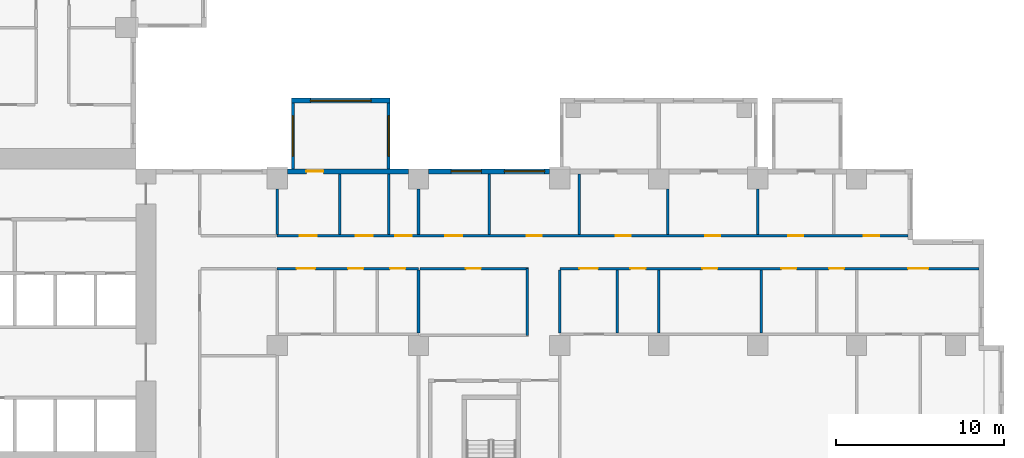
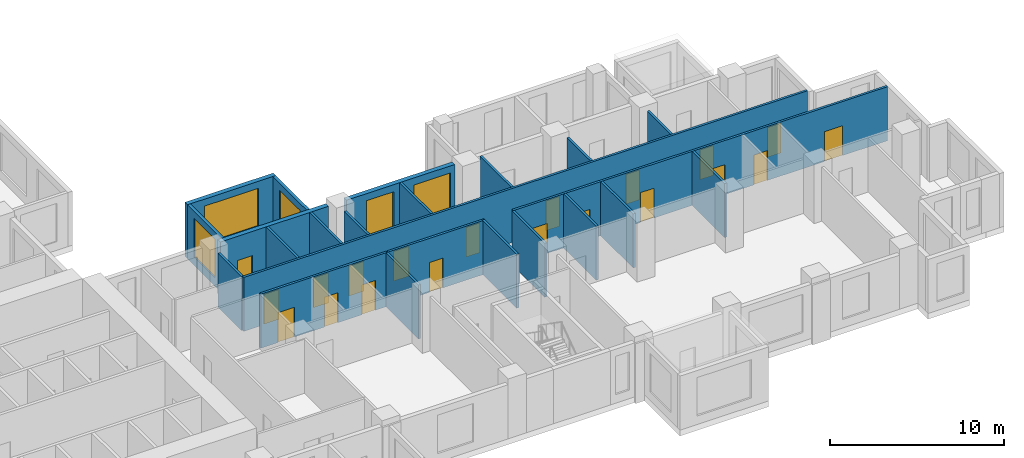
# One storey, part 5 of 14: 23 walls, 20 doors, 5 windows, 25 openings.
"""IFC4 building model written with IfcOpenShell, lengths in metres."""

import ifcopenshell
import ifcopenshell.guid

model = None  # the IFC model being written
_history = None  # IfcOwnerHistory: only IFC2X3 demands one
_inside = {}  # id of a spatial element -> (the spatial element, [elements in it])
_under = {}  # id of a project, library or spatial element -> (it, [spatial elements below it])
_declared = {}  # id of a project -> (the project, [libraries it declares])
_typed = {}  # id of a type object -> (the type object, [elements of that type])
_made_of = {}  # id of a material, layer set ... -> (it, [elements and type objects made of it])


def new_model(schema):
    """Start an empty IFC model of exactly this schema.

    Asked for "IFC4X3", IfcOpenShell would pick the latest addendum, in which some entities
    have other attributes; the version numbers below select the first issue.
    IFC2X3 requires an IfcOwnerHistory on every rooted entity: one is made here for all.
    """
    global model, _history
    if schema == "IFC4X3":
        model = ifcopenshell.file(schema_version=(4, 3, 0, 0))
    else:
        model = ifcopenshell.file(schema=schema)
    _inside.clear()
    _under.clear()
    _declared.clear()
    _typed.clear()
    _made_of.clear()
    _history = None
    if model.schema == "IFC2X3":
        org = make("IfcOrganization", Name="unknown")
        user = make(
            "IfcPersonAndOrganization",
            ThePerson=make("IfcPerson", FamilyName="unknown"),
            TheOrganization=org,
        )
        app = make(
            "IfcApplication",
            ApplicationDeveloper=org,
            Version="unknown",
            ApplicationFullName="unknown",
            ApplicationIdentifier="unknown",
        )
        _history = make(
            "IfcOwnerHistory",
            OwningUser=user,
            OwningApplication=app,
            ChangeAction="ADDED",
            CreationDate=0,
        )
    return model


def make(cls, **values):
    """One entity of the class cls with the attributes given. An attribute that is None is left unset."""
    return model.create_entity(
        cls, **{name: value for name, value in values.items() if value is not None}
    )


def rooted(cls, **values):
    """An entity with a GlobalId (a new one), such as an element, a storey or a relation."""
    return make(cls, GlobalId=ifcopenshell.guid.new(), OwnerHistory=_history, **values)


def si_unit(unit_type, name, prefix=None):
    """IfcSIUnit, for example si_unit("LENGTHUNIT", "METRE", prefix="MILLI")."""
    return make("IfcSIUnit", UnitType=unit_type, Prefix=prefix, Name=name)


def assignment(units):
    """IfcUnitAssignment: the units of a project."""
    return None if units is None else make("IfcUnitAssignment", Units=units)


def point(xyz):
    """IfcCartesianPoint."""
    return None if xyz is None else make("IfcCartesianPoint", Coordinates=xyz)


def direction(xyz):
    """IfcDirection."""
    return None if xyz is None else make("IfcDirection", DirectionRatios=xyz)


def frame(location, z_axis=None, x_axis=None):
    """IfcAxis2Placement3D, a coordinate frame: its origin and axes. An axis left out is left unset."""
    return make(
        "IfcAxis2Placement3D",
        Location=point(location),
        Axis=direction(z_axis),
        RefDirection=direction(x_axis),
    )


def frame_2d(location, x_axis=None):
    """IfcAxis2Placement2D, a coordinate frame in the plane: its origin and x axis."""
    return make(
        "IfcAxis2Placement2D", Location=point(location), RefDirection=direction(x_axis)
    )


def origin():
    """The frame at (0, 0, 0) with its axes left unset."""
    return frame((0.0, 0.0, 0.0))


def place(relative_to, where):
    """IfcLocalPlacement: puts the frame where relative to a parent placement (None: the world)."""
    return make(
        "IfcLocalPlacement", PlacementRelTo=relative_to, RelativePlacement=where
    )


def context(
    kind, dimensions, precision=None, world=None, true_north=None, identifier=None
):
    """IfcGeometricRepresentationContext, for example the 3D "Model" context."""
    return make(
        "IfcGeometricRepresentationContext",
        ContextIdentifier=identifier,
        ContextType=kind,
        CoordinateSpaceDimension=dimensions,
        Precision=precision,
        WorldCoordinateSystem=world,
        TrueNorth=true_north,
    )


def subcontext(parent, identifier, kind, view, scale=None):
    """IfcGeometricRepresentationSubContext, for example "Body" below "Model"."""
    return make(
        "IfcGeometricRepresentationSubContext",
        ContextIdentifier=identifier,
        ContextType=kind,
        ParentContext=parent,
        TargetScale=scale,
        TargetView=view,
    )


def project(units=None, contexts=None):
    """IfcProject with its units and contexts."""
    return rooted(
        "IfcProject",
        Name="project",
        RepresentationContexts=contexts,
        UnitsInContext=assignment(units),
    )


def spatial(cls, under=None, at=None, **own):
    """A site, building, storey or space (cls), placed at a placement, below another one or the project."""
    s = rooted(cls, ObjectPlacement=at, **own)
    if under is not None:
        _under.setdefault(under.id(), (under, []))[1].append(s)
    return s


def profile(cls, at=None, kind="AREA", **sizes):
    """A parametric profile (cls). Its sizes go by their IFC names, for example OverallWidth=200.0."""
    return make(cls, ProfileType=kind, Position=at, **sizes)


def rectangle(**sizes):
    """IfcRectangleProfileDef."""
    return profile("IfcRectangleProfileDef", **sizes)


def extrude(swept, where, along, depth):
    """IfcExtrudedAreaSolid: the profile swept, set in the frame where, extruded along a direction by depth."""
    return make(
        "IfcExtrudedAreaSolid",
        SweptArea=swept,
        Position=where,
        ExtrudedDirection=direction(along),
        Depth=depth,
    )


def shape(context_of_items, identifier, shape_type, items):
    """IfcShapeRepresentation: the items that make up one representation, for example the "Body"."""
    return make(
        "IfcShapeRepresentation",
        ContextOfItems=context_of_items,
        RepresentationIdentifier=identifier,
        RepresentationType=shape_type,
        Items=items,
    )


def source(mapping_origin, context_of_items, identifier, shape_type, items):
    """IfcRepresentationMap: a shape defined once, which mapped items show again and again."""
    return make(
        "IfcRepresentationMap",
        MappingOrigin=mapping_origin,
        MappedRepresentation=shape(context_of_items, identifier, shape_type, items),
    )


def transform(
    local_origin,
    x_axis=None,
    y_axis=None,
    z_axis=None,
    scale=None,
    scale2=None,
    scale3=None,
    uniform=True,
):
    """IfcCartesianTransformationOperator3D, or its non-uniform kind. x_axis, y_axis, z_axis: its Axis1, 2, 3."""
    if uniform:
        return make(
            "IfcCartesianTransformationOperator3D",
            Axis1=direction(x_axis),
            Axis2=direction(y_axis),
            LocalOrigin=point(local_origin),
            Scale=scale,
            Axis3=direction(z_axis),
        )
    return make(
        "IfcCartesianTransformationOperator3DnonUniform",
        Axis1=direction(x_axis),
        Axis2=direction(y_axis),
        LocalOrigin=point(local_origin),
        Scale=scale,
        Axis3=direction(z_axis),
        Scale2=scale2,
        Scale3=scale3,
    )


def mapped(mapping_source, mapping_target):
    """IfcMappedItem: shows the shape of a source again, moved by a transform."""
    return make(
        "IfcMappedItem", MappingSource=mapping_source, MappingTarget=mapping_target
    )


def material(Name=None, Category=None):
    """IfcMaterial."""
    return make("IfcMaterial", Name=Name, Category=Category)


def layer(
    of_material, thickness, ventilated=None, Name=None, Category=None, Priority=None
):
    """IfcMaterialLayer: one layer of a wall or slab, of a material (None: an air gap)."""
    return make(
        "IfcMaterialLayer",
        Material=of_material,
        LayerThickness=thickness,
        IsVentilated=ventilated,
        Name=Name,
        Category=Category,
        Priority=Priority,
    )


def layer_set(layers, Name=None):
    """IfcMaterialLayerSet."""
    return make("IfcMaterialLayerSet", MaterialLayers=layers, LayerSetName=Name)


def made_of(thing, what):
    """Note that an element or type object is made of a material, layer set ...; save() writes the relation."""
    if what is not None:
        _made_of.setdefault(what.id(), (what, []))[1].append(thing)
    return thing


def type_object(cls, material=None, **own):
    """A type object (cls), such as IfcWallType, which elements share."""
    return made_of(rooted(cls, **own), material)


def element(
    cls,
    number,
    at=None,
    inside=None,
    cuts=None,
    type_object=None,
    material=None,
    context=None,
    identifier="Body",
    shape_type=None,
    held_by="IfcProductDefinitionShape",
    body=None,
    shapes=None,
    **own,
):
    """One element of the class cls, such as IfcWall. Its Tag is "e" and its number.

    at: its placement. inside: the storey or other place that contains it. cuts: it is an
    opening in that element (IfcRelVoidsElement). A single representation is given by context,
    identifier, shape_type and body (its items); several are given by shapes. held_by: the class
    of the entity that holds the representations. save() writes the other relations.
    """
    e = rooted(cls, Tag="e%d" % number, ObjectPlacement=at, **own)
    if body is not None:
        shapes = [shape(context, identifier, shape_type, body)]
    if shapes is not None:
        e.Representation = make(held_by, Representations=shapes)
    if inside is not None:
        _inside.setdefault(inside.id(), (inside, []))[1].append(e)
    if cuts is not None:
        rooted(
            "IfcRelVoidsElement", RelatingBuildingElement=cuts, RelatedOpeningElement=e
        )
    if type_object is not None:
        _typed.setdefault(type_object.id(), (type_object, []))[1].append(e)
    return made_of(e, material)


def fill(opening, filler):
    """IfcRelFillsElement: the door or window that sits in an opening."""
    return rooted(
        "IfcRelFillsElement",
        RelatingOpeningElement=opening,
        RelatedBuildingElement=filler,
    )


def aggregate(whole, parts):
    """IfcRelAggregates: a whole, such as a stair, and the parts it consists of."""
    return rooted("IfcRelAggregates", RelatingObject=whole, RelatedObjects=parts)


def save(model, path):
    """Write the relations noted so far, then the file.

    IfcRelAggregates (storeys below a building ...), IfcRelContainedInSpatialStructure (elements
    in a storey), IfcRelDefinesByType, IfcRelAssociatesMaterial and IfcRelDeclares: one each for
    every whole, place, type object, material and project.
    """
    for whole, parts in _under.values():
        aggregate(whole, parts)
    for where, things in _inside.values():
        rooted(
            "IfcRelContainedInSpatialStructure",
            RelatedElements=things,
            RelatingStructure=where,
        )
    for kind, things in _typed.values():
        rooted("IfcRelDefinesByType", RelatedObjects=things, RelatingType=kind)
    for what, things in _made_of.values():
        rooted("IfcRelAssociatesMaterial", RelatedObjects=things, RelatingMaterial=what)
    for by, libraries in _declared.values():
        rooted("IfcRelDeclares", RelatingContext=by, RelatedDefinitions=libraries)
    model.write(path)


model = new_model("IFC4")

# Units and contexts
model_context = context("Model", 3, precision=1e-05, world=origin(), true_north=direction((0.0, 1.0)))
body_context = subcontext(model_context, "Body", "Model", "MODEL_VIEW")
ifc_project = project(units=[si_unit("LENGTHUNIT", "METRE"), si_unit("AREAUNIT", "SQUARE_METRE"), si_unit("VOLUMEUNIT", "CUBIC_METRE"), si_unit("PLANEANGLEUNIT", "RADIAN"), si_unit("MASSUNIT", "GRAM", prefix="KILO")], contexts=[model_context])

# Site, building, storey
site_placement = place(None, origin())
site = spatial("IfcSite", under=ifc_project, at=site_placement, CompositionType="ELEMENT")
building_placement = place(site_placement, origin())
building = spatial("IfcBuilding", under=site, at=building_placement, Name="Aurelian Terraces", CompositionType="ELEMENT")
storey_placement = place(building_placement, frame((0.0, 0.0, 78.3)))
storey = spatial("IfcBuildingStorey", under=building, at=storey_placement, Name="L16", CompositionType="ELEMENT", Elevation=78.3)

# Wall, openings, windows
ifc_material_1 = material(Name="Terracotta rainscreen cladding", Category="masonry")
ifc_layer_1 = layer(ifc_material_1, 0.3)
ifc_layer_set_1 = layer_set([ifc_layer_1], Name="EW-300")
wall_type_1 = type_object("IfcWallType", Name="EW-300", PredefinedType="STANDARD", material=ifc_layer_set_1)
shared_shape_1 = source(origin(), body_context, "Body", "SweptSolid", [
    extrude(rectangle(XDim=7.2, YDim=0.3, at=frame_2d((3.6, 0.0))), origin(), (0.0, 0.0, 1.0), 3.8),
])
wall_1_placement = place(storey_placement, frame((45.6, 20.85, 0.0), z_axis=(0.0, 0.0, 1.0), x_axis=(-1.0, 0.0, 0.0)))
wall_1 = element("IfcWall", 1, at=wall_1_placement, inside=storey, type_object=wall_type_1, Name="External wall L16 F07.19", PredefinedType="STANDARD", context=body_context, shape_type="MappedRepresentation", body=[
    mapped(shared_shape_1, transform((0.0, 0.0, 0.0), scale=1.0)),
])
shared_shape_2 = source(origin(), body_context, "Body", "SweptSolid", [
    extrude(rectangle(XDim=2.4, YDim=2.7, at=frame_2d((1.2, 1.35))), frame((0.0, 0.16, 0.0), z_axis=(0.0, -1.0, 0.0), x_axis=(1.0, 0.0, 0.0)), (0.0, 0.0, 1.0), 0.32),
])
opening_1_placement = place(wall_1_placement, frame((0.3, 0.0, 0.6)))
opening_1 = element("IfcOpeningElement", 2, at=opening_1_placement, cuts=wall_1, Name="Opening W2427", PredefinedType="OPENING", context=body_context, shape_type="MappedRepresentation", body=[
    mapped(shared_shape_2, transform((0.0, 0.0, 0.0), scale=1.0)),
])
shared_shape_3 = source(origin(), body_context, "Body", "SweptSolid", [
    extrude(rectangle(XDim=1.8, YDim=2.7, at=frame_2d((0.9, 1.35))), frame((0.0, 0.16, 0.0), z_axis=(0.0, -1.0, 0.0), x_axis=(1.0, 0.0, 0.0)), (0.0, 0.0, 1.0), 0.32),
])
opening_2_placement = place(wall_1_placement, frame((4.0625, 0.0, 0.6)))
opening_2 = element("IfcOpeningElement", 3, at=opening_2_placement, cuts=wall_1, Name="Opening W1827", PredefinedType="OPENING", context=body_context, shape_type="MappedRepresentation", body=[
    mapped(shared_shape_3, transform((0.0, 0.0, 0.0), scale=1.0)),
])
ifc_material_2 = material(Name="Clear glazing", Category="glass")
window_type_1 = type_object("IfcWindowType", Name="W-2400x2700", PartitioningType="SINGLE_PANEL", PredefinedType="WINDOW", material=ifc_material_2)
shared_shape_4 = source(origin(), body_context, "Body", "SweptSolid", [
    extrude(rectangle(XDim=2.4, YDim=2.7, at=frame_2d((1.2, 1.35))), frame((0.0, 0.03, 0.0), z_axis=(0.0, -1.0, 0.0), x_axis=(1.0, 0.0, 0.0)), (0.0, 0.0, 1.0), 0.06),
])
window_1_placement = place(opening_1_placement, origin())
window_1 = element("IfcWindow", 4, at=window_1_placement, inside=storey, type_object=window_type_1, Name="Window L16 L16-F07-19-0", OverallHeight=2.7, OverallWidth=2.4, PartitioningType="SINGLE_PANEL", PredefinedType="WINDOW", context=body_context, shape_type="MappedRepresentation", body=[
    mapped(shared_shape_4, transform((0.0, 0.0, 0.0), scale=1.0)),
])
fill(opening_1, window_1)
window_type_2 = type_object("IfcWindowType", Name="W-1800x2700", PartitioningType="SINGLE_PANEL", PredefinedType="WINDOW", material=ifc_material_2)
shared_shape_5 = source(origin(), body_context, "Body", "SweptSolid", [
    extrude(rectangle(XDim=1.8, YDim=2.7, at=frame_2d((0.9, 1.35))), frame((0.0, 0.03, 0.0), z_axis=(0.0, -1.0, 0.0), x_axis=(1.0, 0.0, 0.0)), (0.0, 0.0, 1.0), 0.06),
])
window_2_placement = place(opening_2_placement, origin())
window_2 = element("IfcWindow", 5, at=window_2_placement, inside=storey, type_object=window_type_2, Name="Window L16 L16-F07-19-G0-33", OverallHeight=2.7, OverallWidth=1.8, PartitioningType="SINGLE_PANEL", PredefinedType="WINDOW", context=body_context, shape_type="MappedRepresentation", body=[
    mapped(shared_shape_5, transform((0.0, 0.0, 0.0), scale=1.0)),
])
fill(opening_2, window_2)

# Wall, opening, door
wall_2_placement = place(storey_placement, frame((37.2, 20.85, 0.0), z_axis=(0.0, 0.0, 1.0), x_axis=(-1.0, 0.0, 0.0)))
wall_2 = element("IfcWall", 6, at=wall_2_placement, inside=storey, type_object=wall_type_1, Name="External wall L16 F07.19", PredefinedType="STANDARD", context=body_context, shape_type="MappedRepresentation", body=[
    mapped(shared_shape_1, transform((0.0, 0.0, 0.0), scale=1.0)),
])
shared_shape_6 = source(origin(), body_context, "Body", "SweptSolid", [
    extrude(rectangle(XDim=1.0, YDim=2.1, at=frame_2d((0.5, 1.05))), frame((0.0, 0.16, 0.0), z_axis=(0.0, -1.0, 0.0), x_axis=(1.0, 0.0, 0.0)), (0.0, 0.0, 1.0), 0.32),
])
opening_3_placement = place(wall_2_placement, frame((5.06, 0.0, 0.0)))
opening_3 = element("IfcOpeningElement", 7, at=opening_3_placement, cuts=wall_2, Name="Opening 816005", PredefinedType="OPENING", context=body_context, shape_type="MappedRepresentation", body=[
    mapped(shared_shape_6, transform((0.0, 0.0, 0.0), scale=1.0)),
])
ifc_material_3 = material(Name="Timber door leaf", Category="wood")
door_type_1 = type_object("IfcDoorType", Name="Room door 1000x2100 left", OperationType="SINGLE_SWING_LEFT", PredefinedType="DOOR", material=ifc_material_3)
shared_shape_7 = source(origin(), body_context, "Body", "SweptSolid", [
    extrude(rectangle(XDim=1.0, YDim=2.1, at=frame_2d((0.5, 1.05))), frame((0.0, 0.025, 0.0), z_axis=(0.0, -1.0, 0.0), x_axis=(1.0, 0.0, 0.0)), (0.0, 0.0, 1.0), 0.05),
])
door_1_placement = place(opening_3_placement, origin())
door_1 = element("IfcDoor", 8, at=door_1_placement, inside=storey, type_object=door_type_1, Name="Door 816005", OperationType="SINGLE_SWING_LEFT", OverallHeight=2.1, OverallWidth=1.0, PredefinedType="DOOR", context=body_context, shape_type="MappedRepresentation", body=[
    mapped(shared_shape_7, transform((0.0, 0.0, 0.0), scale=1.0)),
])
fill(opening_3, door_1)

# Wall, opening, window
ifc_material_4 = material(Name="Concrete fc' 40 MPa", Category="concrete")
ifc_layer_2 = layer(ifc_material_4, 0.2)
ifc_layer_set_2 = layer_set([ifc_layer_2], Name="BOX BEARING WALL 200")
wall_type_2 = type_object("IfcWallType", Name="BOX BEARING WALL 200", PredefinedType="SOLIDWALL", material=ifc_layer_set_2)
shared_shape_8 = source(origin(), body_context, "Body", "SweptSolid", [
    extrude(rectangle(XDim=3.9, YDim=0.2, at=frame_2d((1.95, 0.0))), origin(), (0.0, 0.0, 1.0), 3.79),
])
wall_3_placement = place(storey_placement, frame((36.02, 21.0, 0.0), z_axis=(0.0, 0.0, 1.0), x_axis=(0.0, 1.0, 0.0)))
wall_3 = element("IfcWall", 9, at=wall_3_placement, inside=storey, type_object=wall_type_2, Name="Box return L16 J20.1", PredefinedType="SOLIDWALL", context=body_context, shape_type="MappedRepresentation", body=[
    mapped(shared_shape_8, transform((0.0, 0.0, 0.0), scale=1.0)),
])
shared_shape_9 = source(origin(), body_context, "Body", "SweptSolid", [
    extrude(rectangle(XDim=2.4, YDim=2.7, at=frame_2d((1.2, 1.35))), frame((0.0, 0.11, 0.0), z_axis=(0.0, -1.0, 0.0), x_axis=(1.0, 0.0, 0.0)), (0.0, 0.0, 1.0), 0.22),
])
opening_4_placement = place(wall_3_placement, frame((0.75, 0.0, 0.6)))
opening_4 = element("IfcOpeningElement", 10, at=opening_4_placement, cuts=wall_3, Name="Opening W2427", PredefinedType="OPENING", context=body_context, shape_type="MappedRepresentation", body=[
    mapped(shared_shape_9, transform((0.0, 0.0, 0.0), scale=1.0)),
])
window_3_placement = place(opening_4_placement, origin())
window_3 = element("IfcWindow", 11, at=window_3_placement, inside=storey, type_object=window_type_1, Name="Window L16 J20-S1", OverallHeight=2.7, OverallWidth=2.4, PartitioningType="SINGLE_PANEL", PredefinedType="WINDOW", context=body_context, shape_type="MappedRepresentation", body=[
    mapped(shared_shape_4, transform((0.0, 0.0, 0.0), scale=1.0)),
])
fill(opening_4, window_3)

wall_4_placement = place(storey_placement, frame((30.34, 21.0, 0.0), z_axis=(0.0, 0.0, 1.0), x_axis=(0.0, 1.0, 0.0)))
wall_4 = element("IfcWall", 12, at=wall_4_placement, inside=storey, type_object=wall_type_2, Name="Box return L16 J20.2", PredefinedType="SOLIDWALL", context=body_context, shape_type="MappedRepresentation", body=[
    mapped(shared_shape_8, transform((0.0, 0.0, 0.0), scale=1.0)),
])
opening_5_placement = place(wall_4_placement, frame((0.75, 0.0, 0.6)))
opening_5 = element("IfcOpeningElement", 13, at=opening_5_placement, cuts=wall_4, Name="Opening W2427", PredefinedType="OPENING", context=body_context, shape_type="MappedRepresentation", body=[
    mapped(shared_shape_9, transform((0.0, 0.0, 0.0), scale=1.0)),
])
window_4_placement = place(opening_5_placement, origin())
window_4 = element("IfcWindow", 14, at=window_4_placement, inside=storey, type_object=window_type_1, Name="Window L16 J20-S2", OverallHeight=2.7, OverallWidth=2.4, PartitioningType="SINGLE_PANEL", PredefinedType="WINDOW", context=body_context, shape_type="MappedRepresentation", body=[
    mapped(shared_shape_4, transform((0.0, 0.0, 0.0), scale=1.0)),
])
fill(opening_5, window_4)

ifc_layer_3 = layer(ifc_material_4, 0.3)
ifc_layer_set_3 = layer_set([ifc_layer_3], Name="BOX BEARING WALL 300")
wall_type_3 = type_object("IfcWallType", Name="BOX BEARING WALL 300", PredefinedType="SOLIDWALL", material=ifc_layer_set_3)
shared_shape_10 = source(origin(), body_context, "Body", "SweptSolid", [
    extrude(rectangle(XDim=5.88, YDim=0.3, at=frame_2d((2.94, 0.0))), origin(), (0.0, 0.0, 1.0), 3.79),
])
wall_5_placement = place(storey_placement, frame((36.12, 25.05, 0.0), z_axis=(0.0, 0.0, 1.0), x_axis=(-1.0, 0.0, 0.0)))
wall_5 = element("IfcWall", 15, at=wall_5_placement, inside=storey, type_object=wall_type_3, Name="Box wall L16 J20", PredefinedType="SOLIDWALL", context=body_context, shape_type="MappedRepresentation", body=[
    mapped(shared_shape_10, transform((0.0, 0.0, 0.0), scale=1.0)),
])
shared_shape_11 = source(origin(), body_context, "Body", "SweptSolid", [
    extrude(rectangle(XDim=3.6, YDim=2.7, at=frame_2d((1.8, 1.35))), frame((0.0, 0.16, 0.0), z_axis=(0.0, -1.0, 0.0), x_axis=(1.0, 0.0, 0.0)), (0.0, 0.0, 1.0), 0.32),
])
opening_6_placement = place(wall_5_placement, frame((1.14, 0.0, 0.6)))
opening_6 = element("IfcOpeningElement", 16, at=opening_6_placement, cuts=wall_5, Name="Opening W3627", PredefinedType="OPENING", context=body_context, shape_type="MappedRepresentation", body=[
    mapped(shared_shape_11, transform((0.0, 0.0, 0.0), scale=1.0)),
])
window_type_3 = type_object("IfcWindowType", Name="W-3600x2700", PartitioningType="SINGLE_PANEL", PredefinedType="WINDOW", material=ifc_material_2)
shared_shape_12 = source(origin(), body_context, "Body", "SweptSolid", [
    extrude(rectangle(XDim=3.6, YDim=2.7, at=frame_2d((1.8, 1.35))), frame((0.0, 0.03, 0.0), z_axis=(0.0, -1.0, 0.0), x_axis=(1.0, 0.0, 0.0)), (0.0, 0.0, 1.0), 0.06),
])
window_5_placement = place(opening_6_placement, origin())
window_5 = element("IfcWindow", 17, at=window_5_placement, inside=storey, type_object=window_type_3, Name="Window L16 J20-F1", OverallHeight=2.7, OverallWidth=3.6, PartitioningType="SINGLE_PANEL", PredefinedType="WINDOW", context=body_context, shape_type="MappedRepresentation", body=[
    mapped(shared_shape_12, transform((0.0, 0.0, 0.0), scale=1.0)),
])
fill(opening_6, window_5)

# Wall, opening, door
ifc_material_5 = material(Name="Gypsum board on steel studs", Category="steel")
ifc_layer_4 = layer(ifc_material_5, 0.15)
ifc_layer_set_4 = layer_set([ifc_layer_4], Name="Fire partition 150")
wall_type_4 = type_object("IfcWallType", Name="Fire partition 150", PredefinedType="PARTITIONING", material=ifc_layer_set_4)
shared_shape_13 = source(origin(), body_context, "Body", "SweptSolid", [
    extrude(rectangle(XDim=6.45, YDim=0.15, at=frame_2d((3.225, 0.0))), origin(), (0.0, 0.0, 1.0), 3.8),
])
wall_6_placement = place(storey_placement, frame((44.325, 15.075, 0.0), z_axis=(0.0, 0.0, 1.0), x_axis=(-1.0, 0.0, 0.0)))
wall_6 = element("IfcWall", 18, at=wall_6_placement, inside=storey, type_object=wall_type_4, Name="Corridor wall", PredefinedType="PARTITIONING", context=body_context, shape_type="MappedRepresentation", body=[
    mapped(shared_shape_13, transform((0.0, 0.0, 0.0), scale=1.0)),
])
shared_shape_14 = source(origin(), body_context, "Body", "SweptSolid", [
    extrude(rectangle(XDim=0.9, YDim=2.1, at=frame_2d((0.45, 1.05))), frame((0.0, 0.085, 0.0), z_axis=(0.0, -1.0, 0.0), x_axis=(1.0, 0.0, 0.0)), (0.0, 0.0, 1.0), 0.17),
])
opening_7_placement = place(wall_6_placement, frame((2.8125, 0.0, 0.0)))
opening_7 = element("IfcOpeningElement", 19, at=opening_7_placement, cuts=wall_6, Name="Opening 716005", PredefinedType="OPENING", context=body_context, shape_type="MappedRepresentation", body=[
    mapped(shared_shape_14, transform((0.0, 0.0, 0.0), scale=1.0)),
])
door_type_2 = type_object("IfcDoorType", Name="Room door 900x2100 left", OperationType="SINGLE_SWING_LEFT", PredefinedType="DOOR", material=ifc_material_3)
shared_shape_15 = source(origin(), body_context, "Body", "SweptSolid", [
    extrude(rectangle(XDim=0.9, YDim=2.1, at=frame_2d((0.45, 1.05))), frame((0.0, 0.025, 0.0), z_axis=(0.0, -1.0, 0.0), x_axis=(1.0, 0.0, 0.0)), (0.0, 0.0, 1.0), 0.05),
])
door_2_placement = place(opening_7_placement, origin())
door_2 = element("IfcDoor", 20, at=door_2_placement, inside=storey, type_object=door_type_2, Name="Door 716005", OperationType="SINGLE_SWING_LEFT", OverallHeight=2.1, OverallWidth=0.9, PredefinedType="DOOR", context=body_context, shape_type="MappedRepresentation", body=[
    mapped(shared_shape_15, transform((0.0, 0.0, 0.0), scale=1.0)),
])
fill(opening_7, door_2)

# Walls
ifc_layer_5 = layer(ifc_material_5, 0.15)
ifc_layer_set_5 = layer_set([ifc_layer_5], Name="Partition 150")
wall_type_5 = type_object("IfcWallType", Name="Partition 150", PredefinedType="PARTITIONING", material=ifc_layer_set_5)
shared_shape_16 = source(origin(), body_context, "Body", "SweptSolid", [
    extrude(rectangle(XDim=3.75, YDim=0.15, at=frame_2d((1.875, 0.0))), origin(), (0.0, 0.0, 1.0), 3.8),
])
for number, where, z_axis, x_axis, name in (
    (21, (37.8, 11.25, 0.0), (0.0, 0.0, 1.0), (0.0, 1.0, 0.0), "Partition"),
    (22, (49.6117, 11.25, 0.0), (0.0, 0.0, 1.0), (0.0, 1.0, 0.0), "Partition"),
    (23, (52.08, 11.25, 0.0), (0.0, 0.0, 1.0), (0.0, 1.0, 0.0), "Partition"),
    (24, (58.1619, 11.25, 0.0), (0.0, 0.0, 1.0), (0.0, 1.0, 0.0), "Partition"),
    (25, (46.2, 11.25, 0.0), (0.0, 0.0, 1.0), (0.0, 1.0, 0.0), "Partition"),
):
    element("IfcWall", number, at=place(storey_placement, frame(where, z_axis=z_axis, x_axis=x_axis)), inside=storey, type_object=wall_type_5, Name=name, PredefinedType="PARTITIONING", context=body_context, shape_type="MappedRepresentation", body=[
        mapped(shared_shape_16, transform((0.0, 0.0, 0.0), scale=1.0)),
    ])
shared_shape_17 = source(origin(), body_context, "Body", "SweptSolid", [
    extrude(rectangle(XDim=3.6, YDim=0.15, at=frame_2d((1.8, 0.0))), origin(), (0.0, 0.0, 1.0), 3.8),
])
for number, where, z_axis, x_axis, name in (
    (26, (33.1133, 20.7, 0.0), (0.0, 0.0, 1.0), (0.0, -1.0, 0.0), "Partition"),
    (27, (36.024, 20.7, 0.0), (0.0, 0.0, 1.0), (0.0, -1.0, 0.0), "Partition"),
    (28, (47.345, 20.7, 0.0), (0.0, 0.0, 1.0), (0.0, -1.0, 0.0), "Partition"),
    (29, (42.0, 17.1, 0.0), (0.0, 0.0, 1.0), (0.0, 1.0, 0.0), "Partition"),
):
    element("IfcWall", number, at=place(storey_placement, frame(where, z_axis=z_axis, x_axis=x_axis)), inside=storey, type_object=wall_type_5, Name=name, PredefinedType="PARTITIONING", context=body_context, shape_type="MappedRepresentation", body=[
        mapped(shared_shape_17, transform((0.0, 0.0, 0.0), scale=1.0)),
    ])
shared_shape_18 = source(origin(), body_context, "Body", "SweptSolid", [
    extrude(rectangle(XDim=2.701, YDim=0.15, at=frame_2d((1.3505, 0.0))), origin(), (0.0, 0.0, 1.0), 3.8),
])
for number, where, z_axis, x_axis, name in (
    (30, (29.4, 17.1, 0.0), (0.0, 0.0, 1.0), (0.0, 1.0, 0.0), "Partition"),
    (31, (52.615, 19.801, 0.0), (0.0, 0.0, 1.0), (0.0, -1.0, 0.0), "Partition"),
    (32, (37.8, 17.1, 0.0), (0.0, 0.0, 1.0), (0.0, 1.0, 0.0), "Partition"),
    (33, (57.96, 17.1, 0.0), (0.0, 0.0, 1.0), (0.0, 1.0, 0.0), "Partition"),
):
    element("IfcWall", number, at=place(storey_placement, frame(where, z_axis=z_axis, x_axis=x_axis)), inside=storey, type_object=wall_type_5, Name=name, PredefinedType="PARTITIONING", context=body_context, shape_type="MappedRepresentation", body=[
        mapped(shared_shape_18, transform((0.0, 0.0, 0.0), scale=1.0)),
    ])

# Wall, openings, doors
shared_shape_19 = source(origin(), body_context, "Body", "SweptSolid", [
    extrude(rectangle(XDim=8.4, YDim=0.15, at=frame_2d((4.2, 0.0))), origin(), (0.0, 0.0, 1.0), 3.8),
])
wall_7_placement = place(storey_placement, frame((37.8, 15.075, 0.0), z_axis=(0.0, 0.0, 1.0), x_axis=(-1.0, 0.0, 0.0)))
wall_7 = element("IfcWall", 34, at=wall_7_placement, inside=storey, type_object=wall_type_4, Name="Corridor wall", PredefinedType="PARTITIONING", context=body_context, shape_type="MappedRepresentation", body=[
    mapped(shared_shape_19, transform((0.0, 0.0, 0.0), scale=1.0)),
])
shared_shape_20 = source(origin(), body_context, "Body", "SweptSolid", [
    extrude(rectangle(XDim=1.1, YDim=2.1, at=frame_2d((0.55, 1.05))), frame((0.0, 0.085, 0.0), z_axis=(0.0, -1.0, 0.0), x_axis=(1.0, 0.0, 0.0)), (0.0, 0.0, 1.0), 0.17),
])
opening_8_placement = place(wall_7_placement, frame((6.1456, 0.0, 0.0)))
opening_8 = element("IfcOpeningElement", 35, at=opening_8_placement, cuts=wall_7, Name="Opening 716007", PredefinedType="OPENING", context=body_context, shape_type="MappedRepresentation", body=[
    mapped(shared_shape_20, transform((0.0, 0.0, 0.0), scale=1.0)),
])
opening_9_placement = place(wall_7_placement, frame((3.2762, 0.0, 0.0)))
opening_9 = element("IfcOpeningElement", 36, at=opening_9_placement, cuts=wall_7, Name="Opening 716009", PredefinedType="OPENING", context=body_context, shape_type="MappedRepresentation", body=[
    mapped(shared_shape_14, transform((0.0, 0.0, 0.0), scale=1.0)),
])
opening_10_placement = place(wall_7_placement, frame((0.7806, 0.0, 0.0)))
opening_10 = element("IfcOpeningElement", 37, at=opening_10_placement, cuts=wall_7, Name="Opening 716010", PredefinedType="OPENING", context=body_context, shape_type="MappedRepresentation", body=[
    mapped(shared_shape_14, transform((0.0, 0.0, 0.0), scale=1.0)),
])
door_type_3 = type_object("IfcDoorType", Name="Room door 900x2100 right", OperationType="SINGLE_SWING_RIGHT", PredefinedType="DOOR", material=ifc_material_3)
door_3_placement = place(opening_9_placement, origin())
door_3 = element("IfcDoor", 38, at=door_3_placement, inside=storey, type_object=door_type_3, Name="Door 716009", OperationType="SINGLE_SWING_RIGHT", OverallHeight=2.1, OverallWidth=0.9, PredefinedType="DOOR", context=body_context, shape_type="MappedRepresentation", body=[
    mapped(shared_shape_15, transform((0.0, 0.0, 0.0), scale=1.0)),
])
fill(opening_9, door_3)
door_4_placement = place(opening_10_placement, origin())
door_4 = element("IfcDoor", 39, at=door_4_placement, inside=storey, type_object=door_type_2, Name="Door 716010", OperationType="SINGLE_SWING_LEFT", OverallHeight=2.1, OverallWidth=0.9, PredefinedType="DOOR", context=body_context, shape_type="MappedRepresentation", body=[
    mapped(shared_shape_15, transform((0.0, 0.0, 0.0), scale=1.0)),
])
fill(opening_10, door_4)
door_type_4 = type_object("IfcDoorType", Name="Room door 1100x2100 right", OperationType="SINGLE_SWING_RIGHT", PredefinedType="DOOR", material=ifc_material_3)
shared_shape_21 = source(origin(), body_context, "Body", "SweptSolid", [
    extrude(rectangle(XDim=1.1, YDim=2.1, at=frame_2d((0.55, 1.05))), frame((0.0, 0.025, 0.0), z_axis=(0.0, -1.0, 0.0), x_axis=(1.0, 0.0, 0.0)), (0.0, 0.0, 1.0), 0.05),
])
door_5_placement = place(opening_8_placement, origin())
door_5 = element("IfcDoor", 40, at=door_5_placement, inside=storey, type_object=door_type_4, Name="Door 716007", OperationType="SINGLE_SWING_RIGHT", OverallHeight=2.1, OverallWidth=1.1, PredefinedType="DOOR", context=body_context, shape_type="MappedRepresentation", body=[
    mapped(shared_shape_21, transform((0.0, 0.0, 0.0), scale=1.0)),
])
fill(opening_8, door_5)

shared_shape_22 = source(origin(), body_context, "Body", "SweptSolid", [
    extrude(rectangle(XDim=24.9, YDim=0.15, at=frame_2d((12.45, 0.0))), origin(), (0.0, 0.0, 1.0), 3.8),
])
wall_8_placement = place(storey_placement, frame((71.1, 15.075, 0.0), z_axis=(0.0, 0.0, 1.0), x_axis=(-1.0, 0.0, 0.0)))
wall_8 = element("IfcWall", 41, at=wall_8_placement, inside=storey, type_object=wall_type_4, Name="Corridor wall", PredefinedType="PARTITIONING", context=body_context, shape_type="MappedRepresentation", body=[
    mapped(shared_shape_22, transform((0.0, 0.0, 0.0), scale=1.0)),
])
opening_11_placement = place(wall_8_placement, frame((22.6442, 0.0, 0.0)))
opening_11 = element("IfcOpeningElement", 42, at=opening_11_placement, cuts=wall_8, Name="Opening 716011", PredefinedType="OPENING", context=body_context, shape_type="MappedRepresentation", body=[
    mapped(shared_shape_20, transform((0.0, 0.0, 0.0), scale=1.0)),
])
opening_12_placement = place(wall_8_placement, frame((19.8042, 0.0, 0.0)))
opening_12 = element("IfcOpeningElement", 43, at=opening_12_placement, cuts=wall_8, Name="Opening 716013", PredefinedType="OPENING", context=body_context, shape_type="MappedRepresentation", body=[
    mapped(shared_shape_14, transform((0.0, 0.0, 0.0), scale=1.0)),
])
opening_13_placement = place(wall_8_placement, frame((15.5291, 0.0, 0.0)))
opening_13 = element("IfcOpeningElement", 44, at=opening_13_placement, cuts=wall_8, Name="Opening 716014", PredefinedType="OPENING", context=body_context, shape_type="MappedRepresentation", body=[
    mapped(shared_shape_14, transform((0.0, 0.0, 0.0), scale=1.0)),
])
opening_14_placement = place(wall_8_placement, frame((10.8381, 0.0, 0.0)))
opening_14 = element("IfcOpeningElement", 45, at=opening_14_placement, cuts=wall_8, Name="Opening 716015", PredefinedType="OPENING", context=body_context, shape_type="MappedRepresentation", body=[
    mapped(shared_shape_14, transform((0.0, 0.0, 0.0), scale=1.0)),
])
opening_15_placement = place(wall_8_placement, frame((7.999, 0.0, 0.0)))
opening_15 = element("IfcOpeningElement", 46, at=opening_15_placement, cuts=wall_8, Name="Opening 716016", PredefinedType="OPENING", context=body_context, shape_type="MappedRepresentation", body=[
    mapped(shared_shape_14, transform((0.0, 0.0, 0.0), scale=1.0)),
])
shared_shape_23 = source(origin(), body_context, "Body", "SweptSolid", [
    extrude(rectangle(XDim=1.2, YDim=2.1, at=frame_2d((0.6, 1.05))), frame((0.0, 0.085, 0.0), z_axis=(0.0, -1.0, 0.0), x_axis=(1.0, 0.0, 0.0)), (0.0, 0.0, 1.0), 0.17),
])
opening_16_placement = place(wall_8_placement, frame((2.9925, 0.0, 0.0)))
opening_16 = element("IfcOpeningElement", 47, at=opening_16_placement, cuts=wall_8, Name="Opening 716017", PredefinedType="OPENING", context=body_context, shape_type="MappedRepresentation", body=[
    mapped(shared_shape_23, transform((0.0, 0.0, 0.0), scale=1.0)),
])
door_6_placement = place(opening_12_placement, origin())
door_6 = element("IfcDoor", 48, at=door_6_placement, inside=storey, type_object=door_type_3, Name="Door 716013", OperationType="SINGLE_SWING_RIGHT", OverallHeight=2.1, OverallWidth=0.9, PredefinedType="DOOR", context=body_context, shape_type="MappedRepresentation", body=[
    mapped(shared_shape_15, transform((0.0, 0.0, 0.0), scale=1.0)),
])
fill(opening_12, door_6)
door_7_placement = place(opening_13_placement, origin())
door_7 = element("IfcDoor", 49, at=door_7_placement, inside=storey, type_object=door_type_2, Name="Door 716014", OperationType="SINGLE_SWING_LEFT", OverallHeight=2.1, OverallWidth=0.9, PredefinedType="DOOR", context=body_context, shape_type="MappedRepresentation", body=[
    mapped(shared_shape_15, transform((0.0, 0.0, 0.0), scale=1.0)),
])
fill(opening_13, door_7)
door_8_placement = place(opening_14_placement, origin())
door_8 = element("IfcDoor", 50, at=door_8_placement, inside=storey, type_object=door_type_3, Name="Door 716015", OperationType="SINGLE_SWING_RIGHT", OverallHeight=2.1, OverallWidth=0.9, PredefinedType="DOOR", context=body_context, shape_type="MappedRepresentation", body=[
    mapped(shared_shape_15, transform((0.0, 0.0, 0.0), scale=1.0)),
])
fill(opening_14, door_8)
door_9_placement = place(opening_15_placement, origin())
door_9 = element("IfcDoor", 51, at=door_9_placement, inside=storey, type_object=door_type_2, Name="Door 716016", OperationType="SINGLE_SWING_LEFT", OverallHeight=2.1, OverallWidth=0.9, PredefinedType="DOOR", context=body_context, shape_type="MappedRepresentation", body=[
    mapped(shared_shape_15, transform((0.0, 0.0, 0.0), scale=1.0)),
])
fill(opening_15, door_9)
door_10_placement = place(opening_11_placement, origin())
door_10 = element("IfcDoor", 52, at=door_10_placement, inside=storey, type_object=door_type_4, Name="Door 716011", OperationType="SINGLE_SWING_RIGHT", OverallHeight=2.1, OverallWidth=1.1, PredefinedType="DOOR", context=body_context, shape_type="MappedRepresentation", body=[
    mapped(shared_shape_21, transform((0.0, 0.0, 0.0), scale=1.0)),
])
fill(opening_11, door_10)
door_type_5 = type_object("IfcDoorType", Name="Room door 1200x2100 right", OperationType="SINGLE_SWING_RIGHT", PredefinedType="DOOR", material=ifc_material_3)
shared_shape_24 = source(origin(), body_context, "Body", "SweptSolid", [
    extrude(rectangle(XDim=1.2, YDim=2.1, at=frame_2d((0.6, 1.05))), frame((0.0, 0.025, 0.0), z_axis=(0.0, -1.0, 0.0), x_axis=(1.0, 0.0, 0.0)), (0.0, 0.0, 1.0), 0.05),
])
door_11_placement = place(opening_16_placement, origin())
door_11 = element("IfcDoor", 53, at=door_11_placement, inside=storey, type_object=door_type_5, Name="Door 716017", OperationType="SINGLE_SWING_RIGHT", OverallHeight=2.1, OverallWidth=1.2, PredefinedType="DOOR", context=body_context, shape_type="MappedRepresentation", body=[
    mapped(shared_shape_24, transform((0.0, 0.0, 0.0), scale=1.0)),
])
fill(opening_16, door_11)

# Wall
shared_shape_25 = source(origin(), body_context, "Body", "SweptSolid", [
    extrude(rectangle(XDim=3.975, YDim=0.15, at=frame_2d((1.9875, 0.0))), origin(), (0.0, 0.0, 1.0), 3.8),
])
wall_9_placement = place(storey_placement, frame((44.25, 11.1, 0.0), z_axis=(0.0, 0.0, 1.0), x_axis=(0.0, 1.0, 0.0)))
element("IfcWall", 54, at=wall_9_placement, inside=storey, type_object=wall_type_5, Name="Partition", PredefinedType="PARTITIONING", context=body_context, shape_type="MappedRepresentation", body=[
    mapped(shared_shape_25, transform((0.0, 0.0, 0.0), scale=1.0)),
])

# Wall, openings, doors
shared_shape_26 = source(origin(), body_context, "Body", "SweptSolid", [
    extrude(rectangle(XDim=37.5, YDim=0.15, at=frame_2d((18.75, 0.0))), origin(), (0.0, 0.0, 1.0), 3.8),
])
wall_10_placement = place(storey_placement, frame((29.4, 17.025, 0.0), z_axis=(0.0, 0.0, 1.0), x_axis=(1.0, 0.0, 0.0)))
wall_10 = element("IfcWall", 55, at=wall_10_placement, inside=storey, type_object=wall_type_4, Name="Corridor wall", PredefinedType="PARTITIONING", context=body_context, shape_type="MappedRepresentation", body=[
    mapped(shared_shape_26, transform((0.0, 0.0, 0.0), scale=1.0)),
])
shared_shape_27 = source(origin(), body_context, "Body", "SweptSolid", [
    extrude(rectangle(XDim=1.0, YDim=2.1, at=frame_2d((0.5, 1.05))), frame((0.0, 0.085, 0.0), z_axis=(0.0, -1.0, 0.0), x_axis=(1.0, 0.0, 0.0)), (0.0, 0.0, 1.0), 0.17),
])
opening_17_placement = place(wall_10_placement, frame((1.3567, 0.0, 0.0)))
opening_17 = element("IfcOpeningElement", 56, at=opening_17_placement, cuts=wall_10, Name="Opening 716020", PredefinedType="OPENING", context=body_context, shape_type="MappedRepresentation", body=[
    mapped(shared_shape_27, transform((0.0, 0.0, 0.0), scale=1.0)),
])
opening_18_placement = place(wall_10_placement, frame((4.6686, 0.0, 0.0)))
opening_18 = element("IfcOpeningElement", 57, at=opening_18_placement, cuts=wall_10, Name="Opening 716021", PredefinedType="OPENING", context=body_context, shape_type="MappedRepresentation", body=[
    mapped(shared_shape_27, transform((0.0, 0.0, 0.0), scale=1.0)),
])
opening_19_placement = place(wall_10_placement, frame((7.012, 0.0, 0.0)))
opening_19 = element("IfcOpeningElement", 58, at=opening_19_placement, cuts=wall_10, Name="Opening 716022", PredefinedType="OPENING", context=body_context, shape_type="MappedRepresentation", body=[
    mapped(shared_shape_27, transform((0.0, 0.0, 0.0), scale=1.0)),
])
opening_20_placement = place(wall_10_placement, frame((10.0, 0.0, 0.0)))
opening_20 = element("IfcOpeningElement", 59, at=opening_20_placement, cuts=wall_10, Name="Opening 716023", PredefinedType="OPENING", context=body_context, shape_type="MappedRepresentation", body=[
    mapped(shared_shape_27, transform((0.0, 0.0, 0.0), scale=1.0)),
])
opening_21_placement = place(wall_10_placement, frame((14.8225, 0.0, 0.0)))
opening_21 = element("IfcOpeningElement", 60, at=opening_21_placement, cuts=wall_10, Name="Opening 716024", PredefinedType="OPENING", context=body_context, shape_type="MappedRepresentation", body=[
    mapped(shared_shape_14, transform((0.0, 0.0, 0.0), scale=1.0)),
])
opening_22_placement = place(wall_10_placement, frame((20.13, 0.0, 0.0)))
opening_22 = element("IfcOpeningElement", 61, at=opening_22_placement, cuts=wall_10, Name="Opening 716025", PredefinedType="OPENING", context=body_context, shape_type="MappedRepresentation", body=[
    mapped(shared_shape_14, transform((0.0, 0.0, 0.0), scale=1.0)),
])
opening_23_placement = place(wall_10_placement, frame((25.4375, 0.0, 0.0)))
opening_23 = element("IfcOpeningElement", 62, at=opening_23_placement, cuts=wall_10, Name="Opening 716026", PredefinedType="OPENING", context=body_context, shape_type="MappedRepresentation", body=[
    mapped(shared_shape_14, transform((0.0, 0.0, 0.0), scale=1.0)),
])
opening_24_placement = place(wall_10_placement, frame((30.3638, 0.0, 0.0)))
opening_24 = element("IfcOpeningElement", 63, at=opening_24_placement, cuts=wall_10, Name="Opening 716027", PredefinedType="OPENING", context=body_context, shape_type="MappedRepresentation", body=[
    mapped(shared_shape_14, transform((0.0, 0.0, 0.0), scale=1.0)),
])
opening_25_placement = place(wall_10_placement, frame((34.8713, 0.0, 0.0)))
opening_25 = element("IfcOpeningElement", 64, at=opening_25_placement, cuts=wall_10, Name="Opening 716028", PredefinedType="OPENING", context=body_context, shape_type="MappedRepresentation", body=[
    mapped(shared_shape_14, transform((0.0, 0.0, 0.0), scale=1.0)),
])
door_type_6 = type_object("IfcDoorType", Name="Room door 1000x2100 right", OperationType="SINGLE_SWING_RIGHT", PredefinedType="DOOR", material=ifc_material_3)
door_12_placement = place(opening_17_placement, origin())
door_12 = element("IfcDoor", 65, at=door_12_placement, inside=storey, type_object=door_type_6, Name="Door 716020", OperationType="SINGLE_SWING_RIGHT", OverallHeight=2.1, OverallWidth=1.0, PredefinedType="DOOR", context=body_context, shape_type="MappedRepresentation", body=[
    mapped(shared_shape_7, transform((0.0, 0.0, 0.0), scale=1.0)),
])
fill(opening_17, door_12)
door_13_placement = place(opening_18_placement, origin())
door_13 = element("IfcDoor", 66, at=door_13_placement, inside=storey, type_object=door_type_1, Name="Door 716021", OperationType="SINGLE_SWING_LEFT", OverallHeight=2.1, OverallWidth=1.0, PredefinedType="DOOR", context=body_context, shape_type="MappedRepresentation", body=[
    mapped(shared_shape_7, transform((0.0, 0.0, 0.0), scale=1.0)),
])
fill(opening_18, door_13)
door_14_placement = place(opening_19_placement, origin())
door_14 = element("IfcDoor", 67, at=door_14_placement, inside=storey, type_object=door_type_6, Name="Door 716022", OperationType="SINGLE_SWING_RIGHT", OverallHeight=2.1, OverallWidth=1.0, PredefinedType="DOOR", context=body_context, shape_type="MappedRepresentation", body=[
    mapped(shared_shape_7, transform((0.0, 0.0, 0.0), scale=1.0)),
])
fill(opening_19, door_14)
door_15_placement = place(opening_20_placement, origin())
door_15 = element("IfcDoor", 68, at=door_15_placement, inside=storey, type_object=door_type_6, Name="Door 716023", OperationType="SINGLE_SWING_RIGHT", OverallHeight=2.1, OverallWidth=1.0, PredefinedType="DOOR", context=body_context, shape_type="MappedRepresentation", body=[
    mapped(shared_shape_7, transform((0.0, 0.0, 0.0), scale=1.0)),
])
fill(opening_20, door_15)
door_16_placement = place(opening_21_placement, origin())
door_16 = element("IfcDoor", 69, at=door_16_placement, inside=storey, type_object=door_type_3, Name="Door 716024", OperationType="SINGLE_SWING_RIGHT", OverallHeight=2.1, OverallWidth=0.9, PredefinedType="DOOR", context=body_context, shape_type="MappedRepresentation", body=[
    mapped(shared_shape_15, transform((0.0, 0.0, 0.0), scale=1.0)),
])
fill(opening_21, door_16)
door_17_placement = place(opening_22_placement, origin())
door_17 = element("IfcDoor", 70, at=door_17_placement, inside=storey, type_object=door_type_2, Name="Door 716025", OperationType="SINGLE_SWING_LEFT", OverallHeight=2.1, OverallWidth=0.9, PredefinedType="DOOR", context=body_context, shape_type="MappedRepresentation", body=[
    mapped(shared_shape_15, transform((0.0, 0.0, 0.0), scale=1.0)),
])
fill(opening_22, door_17)
door_18_placement = place(opening_23_placement, origin())
door_18 = element("IfcDoor", 71, at=door_18_placement, inside=storey, type_object=door_type_3, Name="Door 716026", OperationType="SINGLE_SWING_RIGHT", OverallHeight=2.1, OverallWidth=0.9, PredefinedType="DOOR", context=body_context, shape_type="MappedRepresentation", body=[
    mapped(shared_shape_15, transform((0.0, 0.0, 0.0), scale=1.0)),
])
fill(opening_23, door_18)
door_19_placement = place(opening_24_placement, origin())
door_19 = element("IfcDoor", 72, at=door_19_placement, inside=storey, type_object=door_type_3, Name="Door 716027", OperationType="SINGLE_SWING_RIGHT", OverallHeight=2.1, OverallWidth=0.9, PredefinedType="DOOR", context=body_context, shape_type="MappedRepresentation", body=[
    mapped(shared_shape_15, transform((0.0, 0.0, 0.0), scale=1.0)),
])
fill(opening_24, door_19)
door_20_placement = place(opening_25_placement, origin())
door_20 = element("IfcDoor", 73, at=door_20_placement, inside=storey, type_object=door_type_2, Name="Door 716028", OperationType="SINGLE_SWING_LEFT", OverallHeight=2.1, OverallWidth=0.9, PredefinedType="DOOR", context=body_context, shape_type="MappedRepresentation", body=[
    mapped(shared_shape_15, transform((0.0, 0.0, 0.0), scale=1.0)),
])
fill(opening_25, door_20)

save(model, "model.ifc")
